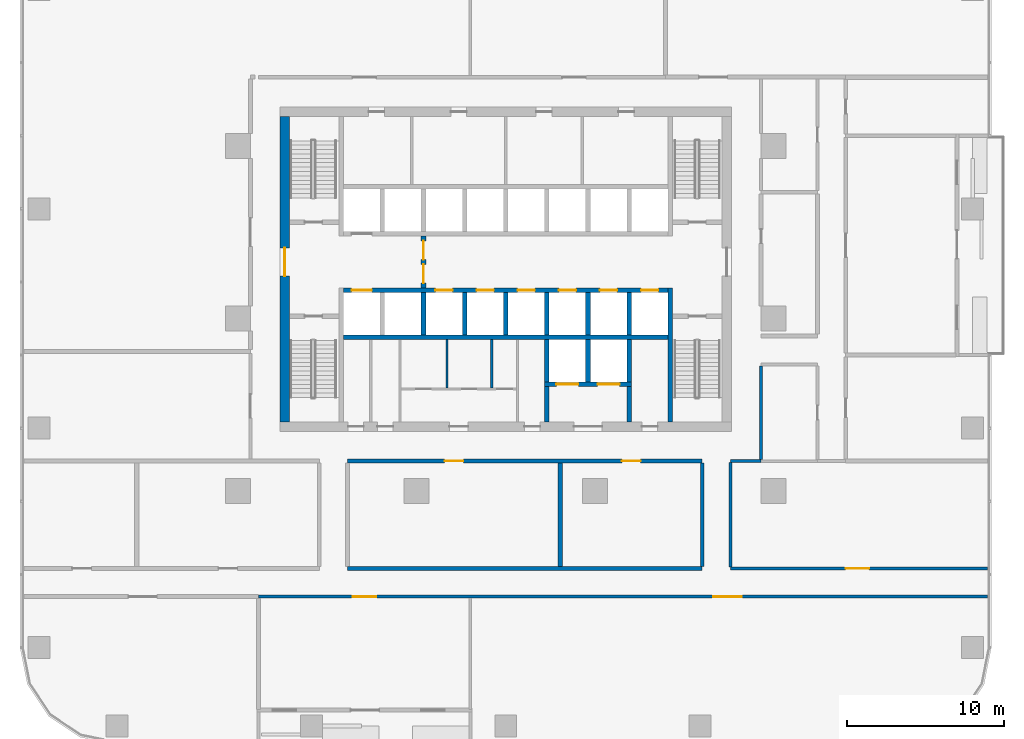
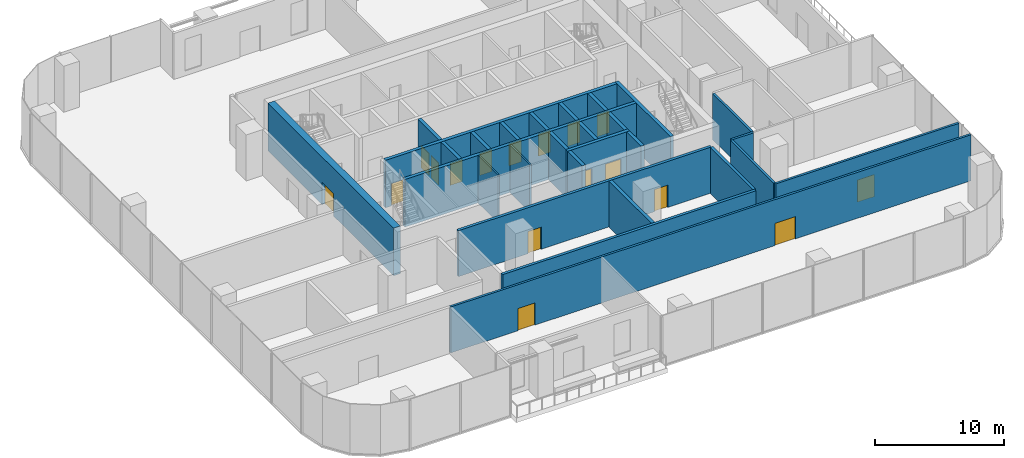
# One storey, part 8 of 15: 28 walls, 17 doors, 17 openings.
"""IFC4 building model written with IfcOpenShell, lengths in metres."""

from ifc_helpers import new_model, si_unit, direction, frame, frame_2d, origin, place, context, subcontext, project, spatial, rectangle, extrude, material, layer, layer_set, type_object, element, fill, save


model = new_model("IFC4")

# Units and contexts
model_context = context("Model", 3, precision=1e-05, world=origin(), true_north=direction((0.0, 1.0)))
body_context = subcontext(model_context, "Body", "Model", "MODEL_VIEW")
ifc_project = project(units=[si_unit("LENGTHUNIT", "METRE"), si_unit("AREAUNIT", "SQUARE_METRE"), si_unit("VOLUMEUNIT", "CUBIC_METRE"), si_unit("PLANEANGLEUNIT", "RADIAN"), si_unit("MASSUNIT", "GRAM", prefix="KILO")], contexts=[model_context])

# Site, building, storey
site_placement = place(None, origin())
site = spatial("IfcSite", under=ifc_project, at=site_placement, CompositionType="ELEMENT")
building_placement = place(site_placement, origin())
building = spatial("IfcBuilding", under=site, at=building_placement, Name="Mopane Tessera Tower", CompositionType="ELEMENT")
storey_placement = place(building_placement, frame((0.0, 0.0, 64.60009765625)))
storey = spatial("IfcBuildingStorey", under=building, at=storey_placement, Name="L12", CompositionType="ELEMENT", Elevation=64.60009765625)

# Walls
ifc_material_1 = material(Name="Fire-rated gypsum board partition")
ifc_layer_1 = layer(ifc_material_1, 0.14990234375)
ifc_layer_set_1 = layer_set([ifc_layer_1], Name="Fire-rated gypsum board partition")
wall_type_1 = type_object("IfcWallType", Name="Core room partition 150 mm", PredefinedType="PARTITIONING", material=ifc_layer_set_1)
for number, where, z_axis, x_axis, name in (
    (1, (-3.75, -4.425048828125, 0.0), (0.0, 0.0, 1.0), (0.0, 1.0, 0.0), "L12 WC partition"),
    (2, (-0.89990234375, -4.425048828125, 0.0), (0.0, 0.0, 1.0), (0.0, 1.0, 0.0), "L12 WC partition"),
):
    element("IfcWall", number, at=place(storey_placement, frame(where, z_axis=z_axis, x_axis=x_axis)), inside=storey, type_object=wall_type_1, Name=name, PredefinedType="PARTITIONING", context=body_context, shape_type="SweptSolid", body=[
        extrude(rectangle(XDim=3.074951171875, YDim=0.14990234375, at=frame_2d((1.53759765625, 0.0))), origin(), (0.0, 0.0, 1.0), 4.5),
    ])

# Wall, opening, door
ifc_material_2 = material(Name="Concrete C70/85", Category="concrete")
ifc_layer_2 = layer(ifc_material_2, 0.60009765625)
ifc_layer_set_2 = layer_set([ifc_layer_2], Name="Concrete C70/85")
wall_type_2 = type_object("IfcWallType", Name="Core shear wall 600 mm", PredefinedType="SHEAR", material=ifc_layer_set_2)
wall_1_placement = place(storey_placement, frame((-14.10009765625, -6.60009765625, 0.0), z_axis=(0.0, 0.0, 1.0), x_axis=(0.0, 1.0, 0.0)))
wall_1 = element("IfcWall", 3, at=wall_1_placement, inside=storey, type_object=wall_type_2, Name="L12 Core wall west", PredefinedType="SHEAR", context=body_context, shape_type="SweptSolid", body=[
    extrude(rectangle(XDim=19.5, YDim=0.60009765625, at=frame_2d((9.75, 0.0))), origin(), (0.0, 0.0, 1.0), 4.5),
])
opening_1_placement = place(wall_1_placement, frame((9.300048828125, 0.0, 0.0)))
opening_1 = element("IfcOpeningElement", 4, at=opening_1_placement, cuts=wall_1, Name="Opening SD2", PredefinedType="OPENING", context=body_context, shape_type="SweptSolid", body=[
    extrude(rectangle(XDim=1.800048828125, YDim=2.10009765625, at=frame_2d((0.89990234375, 1.050048828125))), frame((0.0, 0.31201171875, 0.0), z_axis=(0.0, -1.0, 0.0), x_axis=(1.0, 0.0, 0.0)), (0.0, 0.0, 1.0), 0.6240234375),
])
ifc_material_3 = material(Name="Steel fire door", Category="steel")
door_type_1 = type_object("IfcDoorType", Name="Core entrance double door 1800 x 2100", OperationType="DOUBLE_DOOR_SINGLE_SWING", PredefinedType="DOOR", material=ifc_material_3)
door_1_placement = place(opening_1_placement, origin())
door_1 = element("IfcDoor", 5, at=door_1_placement, inside=storey, type_object=door_type_1, Name="L12 Core entrance door west", OperationType="DOUBLE_DOOR_SINGLE_SWING", OverallHeight=2.10009765625, OverallWidth=1.800048828125, PredefinedType="DOOR", context=body_context, shape_type="SweptSolid", body=[
    extrude(rectangle(XDim=1.800048828125, YDim=2.10009765625, at=frame_2d((0.89990234375, 1.050048828125))), frame((0.0, 0.02490234375, 0.0), z_axis=(0.0, -1.0, 0.0), x_axis=(1.0, 0.0, 0.0)), (0.0, 0.0, 1.0), 0.050048828125),
])
fill(opening_1, door_1)

# Wall
ifc_material_4 = material(Name="Concrete C60/75", Category="concrete")
ifc_layer_3 = layer(ifc_material_4, 0.300048828125)
ifc_layer_set_3 = layer_set([ifc_layer_3], Name="Concrete C60/75")
wall_type_3 = type_object("IfcWallType", Name="Core spine wall 300 mm", PredefinedType="SHEAR", material=ifc_layer_set_3)
wall_2_placement = place(storey_placement, frame((10.5, -6.60009765625, 0.0), z_axis=(0.0, 0.0, 1.0), x_axis=(0.0, 1.0, 0.0)))
element("IfcWall", 6, at=wall_2_placement, inside=storey, type_object=wall_type_3, Name="L12 Core spine wall", PredefinedType="SHEAR", context=body_context, shape_type="SweptSolid", body=[
    extrude(rectangle(XDim=8.550048828125, YDim=0.300048828125, at=frame_2d((4.27490234375, 0.0))), origin(), (0.0, 0.0, 1.0), 4.5),
])

# Wall, openings, doors
ifc_material_5 = material(Name="Gypsum board on steel studs, two layers each face, mineral wool infill", Category="steel")
ifc_layer_4 = layer(ifc_material_5, 0.199951171875)
ifc_layer_set_4 = layer_set([ifc_layer_4], Name="Gypsum board on steel studs, two layers each face, mineral wool infill")
wall_type_4 = type_object("IfcWallType", Name="Gypsum board corridor wall 200, rated EI 60", PredefinedType="PARTITIONING", material=ifc_layer_set_4)
wall_3_placement = place(storey_placement, frame((-15.780029296875, -17.75, 0.0), z_axis=(0.0, 0.0, 1.0), x_axis=(1.0, 0.0, 0.0)))
wall_3 = element("IfcWall", 7, at=wall_3_placement, inside=storey, type_object=wall_type_4, Name="Partition L12:000", PredefinedType="PARTITIONING", context=body_context, shape_type="SweptSolid", body=[
    extrude(rectangle(XDim=46.530029296875, YDim=0.199951171875, at=frame_2d((23.26513671875, 0.0))), origin(), (0.0, 0.0, 1.0), 4.349853515625),
])
opening_2_placement = place(wall_3_placement, frame((29.027587890625, 0.0, 0.0)))
opening_2 = element("IfcOpeningElement", 8, at=opening_2_placement, cuts=wall_3, Name="Opening L12-05", PredefinedType="OPENING", context=body_context, shape_type="SweptSolid", body=[
    extrude(rectangle(XDim=1.800048828125, YDim=2.10009765625, at=frame_2d((0.89990234375, 1.050048828125))), frame((0.0, 0.112060546875, 0.0), z_axis=(0.0, -1.0, 0.0), x_axis=(1.0, 0.0, 0.0)), (0.0, 0.0, 1.0), 0.223876953125),
])
opening_3_placement = place(wall_3_placement, frame((6.012451171875, 0.0, 0.0)))
opening_3 = element("IfcOpeningElement", 9, at=opening_3_placement, cuts=wall_3, Name="Opening L12-16", PredefinedType="OPENING", context=body_context, shape_type="SweptSolid", body=[
    extrude(rectangle(XDim=1.5, YDim=2.10009765625, at=frame_2d((0.75, 1.050048828125))), frame((0.0, 0.112060546875, 0.0), z_axis=(0.0, -1.0, 0.0), x_axis=(1.0, 0.0, 0.0)), (0.0, 0.0, 1.0), 0.223876953125),
])
ifc_material_6 = material(Name="Timber veneered steel-framed fire door", Category="steel")
door_type_2 = type_object("IfcDoorType", Name="Fire door pair FD60 1500 x 2100", OperationType="DOUBLE_DOOR_SINGLE_SWING", PredefinedType="DOOR", material=ifc_material_6)
door_2_placement = place(opening_3_placement, origin())
door_2 = element("IfcDoor", 10, at=door_2_placement, inside=storey, type_object=door_type_2, Name="Door L12-16", ObjectType="D17A", OperationType="DOUBLE_DOOR_SINGLE_SWING", OverallHeight=2.10009765625, OverallWidth=1.5, PredefinedType="DOOR", context=body_context, shape_type="SweptSolid", body=[
    extrude(rectangle(XDim=1.5, YDim=2.10009765625, at=frame_2d((0.75, 1.050048828125))), frame((0.0, 0.02490234375, 0.0), z_axis=(0.0, -1.0, 0.0), x_axis=(1.0, 0.0, 0.0)), (0.0, 0.0, 1.0), 0.050048828125),
])
fill(opening_3, door_2)
ifc_material_7 = material(Name="Timber veneered steel-framed fire door", Category="steel")
door_type_3 = type_object("IfcDoorType", Name="Fire door pair FD60 1800 x 2100", OperationType="DOUBLE_DOOR_SINGLE_SWING", PredefinedType="DOOR", material=ifc_material_7)
door_3_placement = place(opening_2_placement, origin())
door_3 = element("IfcDoor", 11, at=door_3_placement, inside=storey, type_object=door_type_3, Name="Door L12-05", ObjectType="D20A", OperationType="DOUBLE_DOOR_SINGLE_SWING", OverallHeight=2.10009765625, OverallWidth=1.800048828125, PredefinedType="DOOR", context=body_context, shape_type="SweptSolid", body=[
    extrude(rectangle(XDim=1.800048828125, YDim=2.10009765625, at=frame_2d((0.89990234375, 1.050048828125))), frame((0.0, 0.02490234375, 0.0), z_axis=(0.0, -1.0, 0.0), x_axis=(1.0, 0.0, 0.0)), (0.0, 0.0, 1.0), 0.050048828125),
])
fill(opening_2, door_3)

# Wall, opening, door
wall_4_placement = place(storey_placement, frame((14.340087890625, -15.949951171875, 0.0), z_axis=(0.0, 0.0, 1.0), x_axis=(1.0, 0.0, 0.0)))
wall_4 = element("IfcWall", 12, at=wall_4_placement, inside=storey, type_object=wall_type_4, Name="Partition L12:002", PredefinedType="PARTITIONING", context=body_context, shape_type="SweptSolid", body=[
    extrude(rectangle(XDim=16.409912109375, YDim=0.199951171875, at=frame_2d((8.205078125, 0.0))), origin(), (0.0, 0.0, 1.0), 4.349853515625),
])
opening_4_placement = place(wall_4_placement, frame((7.35498046875, 0.0, 0.0)))
opening_4 = element("IfcOpeningElement", 13, at=opening_4_placement, cuts=wall_4, Name="Opening L12-19", PredefinedType="OPENING", context=body_context, shape_type="SweptSolid", body=[
    extrude(rectangle(XDim=1.5, YDim=2.10009765625, at=frame_2d((0.75, 1.050048828125))), frame((0.0, 0.112060546875, 0.0), z_axis=(0.0, -1.0, 0.0), x_axis=(1.0, 0.0, 0.0)), (0.0, 0.0, 1.0), 0.223876953125),
])
door_4_placement = place(opening_4_placement, origin())
door_4 = element("IfcDoor", 14, at=door_4_placement, inside=storey, type_object=door_type_2, Name="Door L12-19", ObjectType="D17A", OperationType="DOUBLE_DOOR_SINGLE_SWING", OverallHeight=2.10009765625, OverallWidth=1.5, PredefinedType="DOOR", context=body_context, shape_type="SweptSolid", body=[
    extrude(rectangle(XDim=1.5, YDim=2.10009765625, at=frame_2d((0.75, 1.050048828125))), frame((0.0, 0.02490234375, 0.0), z_axis=(0.0, -1.0, 0.0), x_axis=(1.0, 0.0, 0.0)), (0.0, 0.0, 1.0), 0.050048828125),
])
fill(opening_4, door_4)

# Walls
wall_5_placement = place(storey_placement, frame((14.340087890625, -9.10009765625, 0.0), z_axis=(0.0, 0.0, 1.0), x_axis=(1.0, 0.0, 0.0)))
element("IfcWall", 15, at=wall_5_placement, inside=storey, type_object=wall_type_4, Name="Partition L12:006", PredefinedType="PARTITIONING", context=body_context, shape_type="SweptSolid", body=[
    extrude(rectangle(XDim=1.9599609375, YDim=0.199951171875, at=frame_2d((0.97998046875, 0.0))), origin(), (0.0, 0.0, 1.0), 4.349853515625),
])
wall_6_placement = place(storey_placement, frame((14.340087890625, -15.85009765625, 0.0), z_axis=(0.0, 0.0, 1.0), x_axis=(0.0, 1.0, 0.0)))
element("IfcWall", 16, at=wall_6_placement, inside=storey, type_object=wall_type_4, Name="Partition L12:034", PredefinedType="PARTITIONING", context=body_context, shape_type="SweptSolid", body=[
    extrude(rectangle(XDim=6.650146484375, YDim=0.199951171875, at=frame_2d((3.3251953125, 0.0))), origin(), (0.0, 0.0, 1.0), 4.349853515625),
])
wall_7_placement = place(storey_placement, frame((16.300048828125, -9.0, 0.0), z_axis=(0.0, 0.0, 1.0), x_axis=(0.0, 1.0, 0.0)))
element("IfcWall", 17, at=wall_7_placement, inside=storey, type_object=wall_type_4, Name="Partition L12:035", PredefinedType="PARTITIONING", context=body_context, shape_type="SweptSolid", body=[
    extrude(rectangle(XDim=5.97509765625, YDim=0.199951171875, at=frame_2d((2.987548828125, 0.0))), origin(), (0.0, 0.0, 1.0), 4.349853515625),
])
ifc_material_8 = material(Name="Concrete C50/60", Category="concrete")
ifc_layer_5 = layer(ifc_material_8, 0.300048828125)
ifc_layer_set_5 = layer_set([ifc_layer_5], Name="Concrete C50/60")
wall_type_5 = type_object("IfcWallType", Name="Lift and stair shaft wall 300 mm", PredefinedType="SOLIDWALL", material=ifc_layer_set_5)
wall_8_placement = place(storey_placement, frame((-10.35009765625, -1.199951171875, 0.0), z_axis=(0.0, 0.0, 1.0), x_axis=(1.0, 0.0, 0.0)))
element("IfcWall", 18, at=wall_8_placement, inside=storey, type_object=wall_type_5, Name="L12 Lift shaft rear wall", PredefinedType="SOLIDWALL", context=body_context, shape_type="SweptSolid", body=[
    extrude(rectangle(XDim=20.7001953125, YDim=0.300048828125, at=frame_2d((10.35009765625, 0.0))), origin(), (0.0, 0.0, 1.0), 4.5),
])

# Wall, openings, doors
wall_9_placement = place(storey_placement, frame((-10.35009765625, 1.800048828125, 0.0), z_axis=(0.0, 0.0, 1.0), x_axis=(1.0, 0.0, 0.0)))
wall_9 = element("IfcWall", 19, at=wall_9_placement, inside=storey, type_object=wall_type_5, Name="L12 Lift shaft front wall", PredefinedType="SOLIDWALL", context=body_context, shape_type="SweptSolid", body=[
    extrude(rectangle(XDim=20.7001953125, YDim=0.300048828125, at=frame_2d((10.35009765625, 0.0))), origin(), (0.0, 0.0, 1.0), 4.5),
])
opening_5_placement = place(wall_9_placement, frame((0.512451171875, 0.0, 0.0)))
opening_5 = element("IfcOpeningElement", 20, at=opening_5_placement, cuts=wall_9, Name="Opening LD2", PredefinedType="OPENING", context=body_context, shape_type="SweptSolid", body=[
    extrude(rectangle(XDim=1.300048828125, YDim=2.10009765625, at=frame_2d((0.64990234375, 1.050048828125))), frame((0.0, 0.162109375, 0.0), z_axis=(0.0, -1.0, 0.0), x_axis=(1.0, 0.0, 0.0)), (0.0, 0.0, 1.0), 0.323974609375),
])
opening_6_placement = place(wall_9_placement, frame((5.862548828125, 0.0, 0.0)))
opening_6 = element("IfcOpeningElement", 21, at=opening_6_placement, cuts=wall_9, Name="Opening LD", PredefinedType="OPENING", context=body_context, shape_type="SweptSolid", body=[
    extrude(rectangle(XDim=1.10009765625, YDim=2.10009765625, at=frame_2d((0.550048828125, 1.050048828125))), frame((0.0, 0.162109375, 0.0), z_axis=(0.0, -1.0, 0.0), x_axis=(1.0, 0.0, 0.0)), (0.0, 0.0, 1.0), 0.323974609375),
])
opening_7_placement = place(wall_9_placement, frame((8.487548828125, 0.0, 0.0)))
opening_7 = element("IfcOpeningElement", 22, at=opening_7_placement, cuts=wall_9, Name="Opening LD", PredefinedType="OPENING", context=body_context, shape_type="SweptSolid", body=[
    extrude(rectangle(XDim=1.10009765625, YDim=2.10009765625, at=frame_2d((0.550048828125, 1.050048828125))), frame((0.0, 0.162109375, 0.0), z_axis=(0.0, -1.0, 0.0), x_axis=(1.0, 0.0, 0.0)), (0.0, 0.0, 1.0), 0.323974609375),
])
opening_8_placement = place(wall_9_placement, frame((11.112548828125, 0.0, 0.0)))
opening_8 = element("IfcOpeningElement", 23, at=opening_8_placement, cuts=wall_9, Name="Opening LD", PredefinedType="OPENING", context=body_context, shape_type="SweptSolid", body=[
    extrude(rectangle(XDim=1.10009765625, YDim=2.10009765625, at=frame_2d((0.550048828125, 1.050048828125))), frame((0.0, 0.162109375, 0.0), z_axis=(0.0, -1.0, 0.0), x_axis=(1.0, 0.0, 0.0)), (0.0, 0.0, 1.0), 0.323974609375),
])
opening_9_placement = place(wall_9_placement, frame((13.737548828125, 0.0, 0.0)))
opening_9 = element("IfcOpeningElement", 24, at=opening_9_placement, cuts=wall_9, Name="Opening LD", PredefinedType="OPENING", context=body_context, shape_type="SweptSolid", body=[
    extrude(rectangle(XDim=1.10009765625, YDim=2.10009765625, at=frame_2d((0.550048828125, 1.050048828125))), frame((0.0, 0.162109375, 0.0), z_axis=(0.0, -1.0, 0.0), x_axis=(1.0, 0.0, 0.0)), (0.0, 0.0, 1.0), 0.323974609375),
])
opening_10_placement = place(wall_9_placement, frame((16.362548828125, 0.0, 0.0)))
opening_10 = element("IfcOpeningElement", 25, at=opening_10_placement, cuts=wall_9, Name="Opening LD", PredefinedType="OPENING", context=body_context, shape_type="SweptSolid", body=[
    extrude(rectangle(XDim=1.10009765625, YDim=2.10009765625, at=frame_2d((0.550048828125, 1.050048828125))), frame((0.0, 0.162109375, 0.0), z_axis=(0.0, -1.0, 0.0), x_axis=(1.0, 0.0, 0.0)), (0.0, 0.0, 1.0), 0.323974609375),
])
opening_11_placement = place(wall_9_placement, frame((18.987548828125, 0.0, 0.0)))
opening_11 = element("IfcOpeningElement", 26, at=opening_11_placement, cuts=wall_9, Name="Opening LD", PredefinedType="OPENING", context=body_context, shape_type="SweptSolid", body=[
    extrude(rectangle(XDim=1.10009765625, YDim=2.10009765625, at=frame_2d((0.550048828125, 1.050048828125))), frame((0.0, 0.162109375, 0.0), z_axis=(0.0, -1.0, 0.0), x_axis=(1.0, 0.0, 0.0)), (0.0, 0.0, 1.0), 0.323974609375),
])
ifc_material_9 = material(Name="Stainless steel sliding door", Category="steel")
door_type_4 = type_object("IfcDoorType", Name="Fire-fighting lift landing door 1300 x 2100", OperationType="DOUBLE_DOOR_SLIDING", PredefinedType="DOOR", material=ifc_material_9)
door_5_placement = place(opening_5_placement, origin())
door_5 = element("IfcDoor", 27, at=door_5_placement, inside=storey, type_object=door_type_4, Name="L12 Lift landing door FF1", OperationType="DOUBLE_DOOR_SLIDING", OverallHeight=2.10009765625, OverallWidth=1.300048828125, PredefinedType="DOOR", context=body_context, shape_type="SweptSolid", body=[
    extrude(rectangle(XDim=1.300048828125, YDim=2.10009765625, at=frame_2d((0.64990234375, 1.050048828125))), frame((0.0, 0.02490234375, 0.0), z_axis=(0.0, -1.0, 0.0), x_axis=(1.0, 0.0, 0.0)), (0.0, 0.0, 1.0), 0.050048828125),
])
fill(opening_5, door_5)
ifc_material_10 = material(Name="Stainless steel sliding door", Category="steel")
door_type_5 = type_object("IfcDoorType", Name="Lift landing door 1100 x 2100", OperationType="DOUBLE_DOOR_SLIDING", PredefinedType="DOOR", material=ifc_material_10)
door_6_placement = place(opening_6_placement, origin())
door_6 = element("IfcDoor", 28, at=door_6_placement, inside=storey, type_object=door_type_5, Name="L12 Lift landing door LR1", OperationType="DOUBLE_DOOR_SLIDING", OverallHeight=2.10009765625, OverallWidth=1.10009765625, PredefinedType="DOOR", context=body_context, shape_type="SweptSolid", body=[
    extrude(rectangle(XDim=1.10009765625, YDim=2.10009765625, at=frame_2d((0.550048828125, 1.050048828125))), frame((0.0, 0.02490234375, 0.0), z_axis=(0.0, -1.0, 0.0), x_axis=(1.0, 0.0, 0.0)), (0.0, 0.0, 1.0), 0.050048828125),
])
fill(opening_6, door_6)
door_7_placement = place(opening_7_placement, origin())
door_7 = element("IfcDoor", 29, at=door_7_placement, inside=storey, type_object=door_type_5, Name="L12 Lift landing door LR2", OperationType="DOUBLE_DOOR_SLIDING", OverallHeight=2.10009765625, OverallWidth=1.10009765625, PredefinedType="DOOR", context=body_context, shape_type="SweptSolid", body=[
    extrude(rectangle(XDim=1.10009765625, YDim=2.10009765625, at=frame_2d((0.550048828125, 1.050048828125))), frame((0.0, 0.02490234375, 0.0), z_axis=(0.0, -1.0, 0.0), x_axis=(1.0, 0.0, 0.0)), (0.0, 0.0, 1.0), 0.050048828125),
])
fill(opening_7, door_7)
door_8_placement = place(opening_8_placement, origin())
door_8 = element("IfcDoor", 30, at=door_8_placement, inside=storey, type_object=door_type_5, Name="L12 Lift landing door LR3", OperationType="DOUBLE_DOOR_SLIDING", OverallHeight=2.10009765625, OverallWidth=1.10009765625, PredefinedType="DOOR", context=body_context, shape_type="SweptSolid", body=[
    extrude(rectangle(XDim=1.10009765625, YDim=2.10009765625, at=frame_2d((0.550048828125, 1.050048828125))), frame((0.0, 0.02490234375, 0.0), z_axis=(0.0, -1.0, 0.0), x_axis=(1.0, 0.0, 0.0)), (0.0, 0.0, 1.0), 0.050048828125),
])
fill(opening_8, door_8)
door_9_placement = place(opening_9_placement, origin())
door_9 = element("IfcDoor", 31, at=door_9_placement, inside=storey, type_object=door_type_5, Name="L12 Lift landing door LR4", OperationType="DOUBLE_DOOR_SLIDING", OverallHeight=2.10009765625, OverallWidth=1.10009765625, PredefinedType="DOOR", context=body_context, shape_type="SweptSolid", body=[
    extrude(rectangle(XDim=1.10009765625, YDim=2.10009765625, at=frame_2d((0.550048828125, 1.050048828125))), frame((0.0, 0.02490234375, 0.0), z_axis=(0.0, -1.0, 0.0), x_axis=(1.0, 0.0, 0.0)), (0.0, 0.0, 1.0), 0.050048828125),
])
fill(opening_9, door_9)
door_10_placement = place(opening_10_placement, origin())
door_10 = element("IfcDoor", 32, at=door_10_placement, inside=storey, type_object=door_type_5, Name="L12 Lift landing door LR5", OperationType="DOUBLE_DOOR_SLIDING", OverallHeight=2.10009765625, OverallWidth=1.10009765625, PredefinedType="DOOR", context=body_context, shape_type="SweptSolid", body=[
    extrude(rectangle(XDim=1.10009765625, YDim=2.10009765625, at=frame_2d((0.550048828125, 1.050048828125))), frame((0.0, 0.02490234375, 0.0), z_axis=(0.0, -1.0, 0.0), x_axis=(1.0, 0.0, 0.0)), (0.0, 0.0, 1.0), 0.050048828125),
])
fill(opening_10, door_10)
door_11_placement = place(opening_11_placement, origin())
door_11 = element("IfcDoor", 33, at=door_11_placement, inside=storey, type_object=door_type_5, Name="L12 Lift landing door LR6", OperationType="DOUBLE_DOOR_SLIDING", OverallHeight=2.10009765625, OverallWidth=1.10009765625, PredefinedType="DOOR", context=body_context, shape_type="SweptSolid", body=[
    extrude(rectangle(XDim=1.10009765625, YDim=2.10009765625, at=frame_2d((0.550048828125, 1.050048828125))), frame((0.0, 0.02490234375, 0.0), z_axis=(0.0, -1.0, 0.0), x_axis=(1.0, 0.0, 0.0)), (0.0, 0.0, 1.0), 0.050048828125),
])
fill(opening_11, door_11)

# Walls
for number, where, z_axis, x_axis, name in (
    (34, (-5.25, -1.050048828125, 0.0), (0.0, 0.0, 1.0), (0.0, 1.0, 0.0), "L12 Lift shaft wall"),
    (35, (-2.625, -1.050048828125, 0.0), (0.0, 0.0, 1.0), (0.0, 1.0, 0.0), "L12 Lift shaft wall"),
    (36, (0.0, -1.050048828125, 0.0), (0.0, 0.0, 1.0), (0.0, 1.0, 0.0), "L12 Lift shaft wall"),
    (37, (2.625, -1.050048828125, 0.0), (0.0, 0.0, 1.0), (0.0, 1.0, 0.0), "L12 Lift shaft wall"),
    (38, (5.25, -1.050048828125, 0.0), (0.0, 0.0, 1.0), (0.0, 1.0, 0.0), "L12 Lift shaft wall"),
    (39, (7.875, -1.050048828125, 0.0), (0.0, 0.0, 1.0), (0.0, 1.0, 0.0), "L12 Lift shaft wall"),
):
    element("IfcWall", number, at=place(storey_placement, frame(where, z_axis=z_axis, x_axis=x_axis)), inside=storey, type_object=wall_type_5, Name=name, PredefinedType="SOLIDWALL", context=body_context, shape_type="SweptSolid", body=[
        extrude(rectangle(XDim=2.699951171875, YDim=0.300048828125, at=frame_2d((1.35009765625, 0.0))), origin(), (0.0, 0.0, 1.0), 4.5),
    ])

# Wall, openings, doors
wall_10_placement = place(storey_placement, frame((2.47509765625, -4.199951171875, 0.0), z_axis=(0.0, 0.0, 1.0), x_axis=(1.0, 0.0, 0.0)))
wall_10 = element("IfcWall", 40, at=wall_10_placement, inside=storey, type_object=wall_type_5, Name="L12 Lift shaft front wall", PredefinedType="SOLIDWALL", context=body_context, shape_type="SweptSolid", body=[
    extrude(rectangle(XDim=5.5498046875, YDim=0.300048828125, at=frame_2d((2.77490234375, 0.0))), origin(), (0.0, 0.0, 1.0), 4.5),
])
opening_12_placement = place(wall_10_placement, frame((0.762451171875, 0.0, 0.0)))
opening_12 = element("IfcOpeningElement", 41, at=opening_12_placement, cuts=wall_10, Name="Opening LD3", PredefinedType="OPENING", context=body_context, shape_type="SweptSolid", body=[
    extrude(rectangle(XDim=1.39990234375, YDim=2.10009765625, at=frame_2d((0.699951171875, 1.050048828125))), frame((0.0, 0.162109375, 0.0), z_axis=(0.0, -1.0, 0.0), x_axis=(1.0, 0.0, 0.0)), (0.0, 0.0, 1.0), 0.323974609375),
])
opening_13_placement = place(wall_10_placement, frame((3.387451171875, 0.0, 0.0)))
opening_13 = element("IfcOpeningElement", 42, at=opening_13_placement, cuts=wall_10, Name="Opening LD3", PredefinedType="OPENING", context=body_context, shape_type="SweptSolid", body=[
    extrude(rectangle(XDim=1.39990234375, YDim=2.10009765625, at=frame_2d((0.699951171875, 1.050048828125))), frame((0.0, 0.162109375, 0.0), z_axis=(0.0, -1.0, 0.0), x_axis=(1.0, 0.0, 0.0)), (0.0, 0.0, 1.0), 0.323974609375),
])
ifc_material_11 = material(Name="Stainless steel sliding door", Category="steel")
door_type_6 = type_object("IfcDoorType", Name="Service lift landing door 1400 x 2100", OperationType="DOUBLE_DOOR_SLIDING", PredefinedType="DOOR", material=ifc_material_11)
door_12_placement = place(opening_12_placement, origin())
door_12 = element("IfcDoor", 43, at=door_12_placement, inside=storey, type_object=door_type_6, Name="L12 Lift landing door SV1", OperationType="DOUBLE_DOOR_SLIDING", OverallHeight=2.10009765625, OverallWidth=1.39990234375, PredefinedType="DOOR", context=body_context, shape_type="SweptSolid", body=[
    extrude(rectangle(XDim=1.39990234375, YDim=2.10009765625, at=frame_2d((0.699951171875, 1.050048828125))), frame((0.0, 0.02490234375, 0.0), z_axis=(0.0, -1.0, 0.0), x_axis=(1.0, 0.0, 0.0)), (0.0, 0.0, 1.0), 0.050048828125),
])
fill(opening_12, door_12)
door_13_placement = place(opening_13_placement, origin())
door_13 = element("IfcDoor", 44, at=door_13_placement, inside=storey, type_object=door_type_6, Name="L12 Lift landing door SV2", OperationType="DOUBLE_DOOR_SLIDING", OverallHeight=2.10009765625, OverallWidth=1.39990234375, PredefinedType="DOOR", context=body_context, shape_type="SweptSolid", body=[
    extrude(rectangle(XDim=1.39990234375, YDim=2.10009765625, at=frame_2d((0.699951171875, 1.050048828125))), frame((0.0, 0.02490234375, 0.0), z_axis=(0.0, -1.0, 0.0), x_axis=(1.0, 0.0, 0.0)), (0.0, 0.0, 1.0), 0.050048828125),
])
fill(opening_13, door_13)

# Walls
for number, where, z_axis, x_axis, name in (
    (45, (2.625, -4.050048828125, 0.0), (0.0, 0.0, 1.0), (0.0, 1.0, 0.0), "L12 Lift shaft wall"),
    (46, (5.25, -4.050048828125, 0.0), (0.0, 0.0, 1.0), (0.0, 1.0, 0.0), "L12 Lift shaft wall"),
    (47, (7.875, -4.050048828125, 0.0), (0.0, 0.0, 1.0), (0.0, 1.0, 0.0), "L12 Lift shaft wall"),
):
    element("IfcWall", number, at=place(storey_placement, frame(where, z_axis=z_axis, x_axis=x_axis)), inside=storey, type_object=wall_type_5, Name=name, PredefinedType="SOLIDWALL", context=body_context, shape_type="SweptSolid", body=[
        extrude(rectangle(XDim=2.699951171875, YDim=0.300048828125, at=frame_2d((1.35009765625, 0.0))), origin(), (0.0, 0.0, 1.0), 4.5),
    ])

# Wall, openings, doors
ifc_material_12 = material(Name="Concrete C50/60", Category="concrete")
ifc_layer_6 = layer(ifc_material_12, 0.300048828125)
ifc_layer_set_6 = layer_set([ifc_layer_6], Name="Concrete C50/60")
wall_type_6 = type_object("IfcWallType", Name="Lobby and refuge room wall 300 mm", PredefinedType="SOLIDWALL", material=ifc_layer_set_6)
wall_11_placement = place(storey_placement, frame((-5.25, 1.949951171875, 0.0), z_axis=(0.0, 0.0, 1.0), x_axis=(0.0, 1.0, 0.0)))
wall_11 = element("IfcWall", 48, at=wall_11_placement, inside=storey, type_object=wall_type_6, Name="L12 Fire-fighting lobby wall", PredefinedType="SOLIDWALL", context=body_context, shape_type="SweptSolid", body=[
    extrude(rectangle(XDim=3.300048828125, YDim=0.300048828125, at=frame_2d((1.64990234375, 0.0))), origin(), (0.0, 0.0, 1.0), 4.5),
])
opening_14_placement = place(wall_11_placement, frame((0.300048828125, 0.0, 0.0)))
opening_14 = element("IfcOpeningElement", 49, at=opening_14_placement, cuts=wall_11, Name="Opening SD3", PredefinedType="OPENING", context=body_context, shape_type="SweptSolid", body=[
    extrude(rectangle(XDim=1.199951171875, YDim=2.10009765625, at=frame_2d((0.60009765625, 1.050048828125))), frame((0.0, 0.162109375, 0.0), z_axis=(0.0, -1.0, 0.0), x_axis=(1.0, 0.0, 0.0)), (0.0, 0.0, 1.0), 0.323974609375),
])
opening_15_placement = place(wall_11_placement, frame((1.800048828125, 0.0, 0.0)))
opening_15 = element("IfcOpeningElement", 50, at=opening_15_placement, cuts=wall_11, Name="Opening SD3", PredefinedType="OPENING", context=body_context, shape_type="SweptSolid", body=[
    extrude(rectangle(XDim=1.199951171875, YDim=2.10009765625, at=frame_2d((0.60009765625, 1.050048828125))), frame((0.0, 0.162109375, 0.0), z_axis=(0.0, -1.0, 0.0), x_axis=(1.0, 0.0, 0.0)), (0.0, 0.0, 1.0), 0.323974609375),
])
ifc_material_13 = material(Name="Steel fire door", Category="steel")
door_type_7 = type_object("IfcDoorType", Name="Lobby fire door 1200 x 2100", OperationType="SINGLE_SWING_LEFT", PredefinedType="DOOR", material=ifc_material_13)
door_14_placement = place(opening_14_placement, origin())
door_14 = element("IfcDoor", 51, at=door_14_placement, inside=storey, type_object=door_type_7, Name="L12 Fire-fighting lobby door", OperationType="SINGLE_SWING_LEFT", OverallHeight=2.10009765625, OverallWidth=1.199951171875, PredefinedType="DOOR", context=body_context, shape_type="SweptSolid", body=[
    extrude(rectangle(XDim=1.199951171875, YDim=2.10009765625, at=frame_2d((0.60009765625, 1.050048828125))), frame((0.0, 0.02490234375, 0.0), z_axis=(0.0, -1.0, 0.0), x_axis=(1.0, 0.0, 0.0)), (0.0, 0.0, 1.0), 0.050048828125),
])
fill(opening_14, door_14)
door_15_placement = place(opening_15_placement, origin())
door_15 = element("IfcDoor", 52, at=door_15_placement, inside=storey, type_object=door_type_7, Name="L12 Fire-fighting lobby door", OperationType="SINGLE_SWING_RIGHT", OverallHeight=2.10009765625, OverallWidth=1.199951171875, PredefinedType="DOOR", context=body_context, shape_type="SweptSolid", body=[
    extrude(rectangle(XDim=1.199951171875, YDim=2.10009765625, at=frame_2d((0.60009765625, 1.050048828125))), frame((0.0, 0.02490234375, 0.0), z_axis=(0.0, -1.0, 0.0), x_axis=(1.0, 0.0, 0.0)), (0.0, 0.0, 1.0), 0.050048828125),
])
fill(opening_15, door_15)

# Walls
for number, where, z_axis, x_axis, name in (
    (53, (2.625, -6.60009765625, 0.0), (0.0, 0.0, 1.0), (0.0, 1.0, 0.0), "L12 Service lobby wall"),
    (54, (7.875, -6.60009765625, 0.0), (0.0, 0.0, 1.0), (0.0, 1.0, 0.0), "L12 Service lobby wall"),
):
    element("IfcWall", number, at=place(storey_placement, frame(where, z_axis=z_axis, x_axis=x_axis)), inside=storey, type_object=wall_type_6, Name=name, PredefinedType="SOLIDWALL", context=body_context, shape_type="SweptSolid", body=[
        extrude(rectangle(XDim=2.25, YDim=0.300048828125, at=frame_2d((1.125, 0.0))), origin(), (0.0, 0.0, 1.0), 4.5),
    ])
ifc_material_14 = material(Name="Plastered concrete blockwork C20/25", Category="masonry")
ifc_layer_7 = layer(ifc_material_14, 0.300048828125)
ifc_layer_set_7 = layer_set([ifc_layer_7], Name="Plastered concrete blockwork C20/25")
wall_type_7 = type_object("IfcWallType", Name="Plastered blockwork separation wall 300, rated EI 120", PredefinedType="PARTITIONING", material=ifc_layer_set_7)
wall_12_placement = place(storey_placement, frame((3.485107421875, -15.824951171875, 0.0), z_axis=(0.0, 0.0, 1.0), x_axis=(0.0, 1.0, 0.0)))
element("IfcWall", 55, at=wall_12_placement, inside=storey, type_object=wall_type_7, Name="Partition L12:031", PredefinedType="PARTITIONING", context=body_context, shape_type="SweptSolid", body=[
    extrude(rectangle(XDim=6.599853515625, YDim=0.300048828125, at=frame_2d((3.2998046875, 0.0))), origin(), (0.0, 0.0, 1.0), 4.349853515625),
])
ifc_material_15 = material(Name="Plastered concrete blockwork C20/25", Category="masonry")
ifc_layer_8 = layer(ifc_material_15, 0.25)
ifc_layer_set_8 = layer_set([ifc_layer_8], Name="Plastered concrete blockwork C20/25")
wall_type_8 = type_object("IfcWallType", Name="Plastered blockwork wall 250, rated EI 120", PredefinedType="PARTITIONING", material=ifc_layer_set_8)
wall_13_placement = place(storey_placement, frame((-10.10009765625, -15.949951171875, 0.0), z_axis=(0.0, 0.0, 1.0), x_axis=(1.0, 0.0, 0.0)))
element("IfcWall", 56, at=wall_13_placement, inside=storey, type_object=wall_type_8, Name="Partition L12:004", PredefinedType="PARTITIONING", context=body_context, shape_type="SweptSolid", body=[
    extrude(rectangle(XDim=22.64013671875, YDim=0.25, at=frame_2d((11.320068359375, 0.0))), origin(), (0.0, 0.0, 1.0), 4.349853515625),
])

# Wall, openings, doors
wall_14_placement = place(storey_placement, frame((-10.10009765625, -9.10009765625, 0.0), z_axis=(0.0, 0.0, 1.0), x_axis=(1.0, 0.0, 0.0)))
wall_14 = element("IfcWall", 57, at=wall_14_placement, inside=storey, type_object=wall_type_8, Name="Partition L12:009", PredefinedType="PARTITIONING", context=body_context, shape_type="SweptSolid", body=[
    extrude(rectangle(XDim=22.64013671875, YDim=0.25, at=frame_2d((11.320068359375, 0.0))), origin(), (0.0, 0.0, 1.0), 4.349853515625),
])
opening_16_placement = place(wall_14_placement, frame((17.512451171875, 0.0, 0.0)))
opening_16 = element("IfcOpeningElement", 58, at=opening_16_placement, cuts=wall_14, Name="Opening L12-02", PredefinedType="OPENING", context=body_context, shape_type="SweptSolid", body=[
    extrude(rectangle(XDim=1.199951171875, YDim=2.10009765625, at=frame_2d((0.60009765625, 1.050048828125))), frame((0.0, 0.136962890625, 0.0), z_axis=(0.0, -1.0, 0.0), x_axis=(1.0, 0.0, 0.0)), (0.0, 0.0, 1.0), 0.27392578125),
])
opening_17_placement = place(wall_14_placement, frame((6.1923828125, 0.0, 0.0)))
opening_17 = element("IfcOpeningElement", 59, at=opening_17_placement, cuts=wall_14, Name="Opening L12-10", PredefinedType="OPENING", context=body_context, shape_type="SweptSolid", body=[
    extrude(rectangle(XDim=1.199951171875, YDim=2.10009765625, at=frame_2d((0.60009765625, 1.050048828125))), frame((0.0, 0.136962890625, 0.0), z_axis=(0.0, -1.0, 0.0), x_axis=(1.0, 0.0, 0.0)), (0.0, 0.0, 1.0), 0.27392578125),
])
ifc_material_16 = material(Name="Timber veneered steel-framed fire door", Category="steel")
door_type_8 = type_object("IfcDoorType", Name="Fire door FD120 1200 x 2100", OperationType="SINGLE_SWING_LEFT", PredefinedType="DOOR", material=ifc_material_16)
door_16_placement = place(opening_16_placement, origin())
door_16 = element("IfcDoor", 60, at=door_16_placement, inside=storey, type_object=door_type_8, Name="Door L12-02", ObjectType="D15B", OperationType="SINGLE_SWING_LEFT", OverallHeight=2.10009765625, OverallWidth=1.199951171875, PredefinedType="DOOR", context=body_context, shape_type="SweptSolid", body=[
    extrude(rectangle(XDim=1.199951171875, YDim=2.10009765625, at=frame_2d((0.60009765625, 1.050048828125))), frame((0.0, 0.02490234375, 0.0), z_axis=(0.0, -1.0, 0.0), x_axis=(1.0, 0.0, 0.0)), (0.0, 0.0, 1.0), 0.050048828125),
])
fill(opening_16, door_16)
door_17_placement = place(opening_17_placement, origin())
door_17 = element("IfcDoor", 61, at=door_17_placement, inside=storey, type_object=door_type_8, Name="Door L12-10", ObjectType="D15B", OperationType="SINGLE_SWING_LEFT", OverallHeight=2.10009765625, OverallWidth=1.199951171875, PredefinedType="DOOR", context=body_context, shape_type="SweptSolid", body=[
    extrude(rectangle(XDim=1.199951171875, YDim=2.10009765625, at=frame_2d((0.60009765625, 1.050048828125))), frame((0.0, 0.02490234375, 0.0), z_axis=(0.0, -1.0, 0.0), x_axis=(1.0, 0.0, 0.0)), (0.0, 0.0, 1.0), 0.050048828125),
])
fill(opening_17, door_17)

# Wall
wall_15_placement = place(storey_placement, frame((12.5400390625, -15.824951171875, 0.0), z_axis=(0.0, 0.0, 1.0), x_axis=(0.0, 1.0, 0.0)))
element("IfcWall", 62, at=wall_15_placement, inside=storey, type_object=wall_type_8, Name="Partition L12:033", PredefinedType="PARTITIONING", context=body_context, shape_type="SweptSolid", body=[
    extrude(rectangle(XDim=6.599853515625, YDim=0.25, at=frame_2d((3.2998046875, 0.0))), origin(), (0.0, 0.0, 1.0), 4.349853515625),
])

save(model, "model.ifc")
